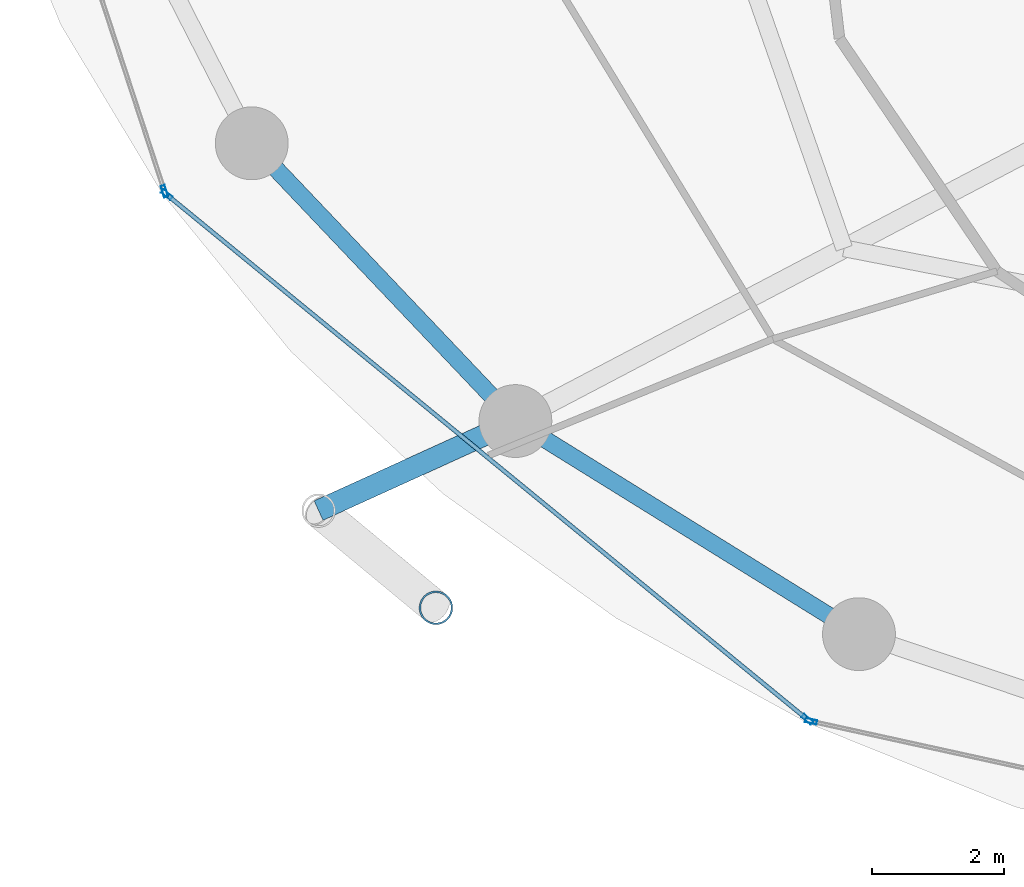
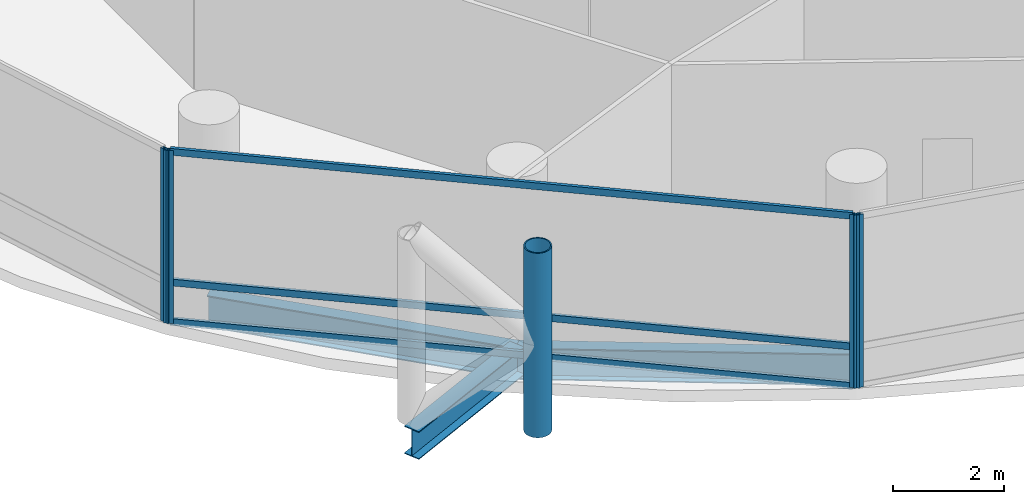
# One storey, part 2 of 25: 8 members, 3 beams, 3 elements without a shape of their own.
"""IFC4 building model written with IfcOpenShell, lengths in metres."""

from ifc_helpers import new_model, si_unit, direction, frame, origin, origin_2d, place, context, subcontext, project, spatial, hollow_rectangle, hollow_circle, i_section, extrude, material, layer, layer_set, material_profile, profile_set, type_object, element, aggregate, save


model = new_model("IFC4")

# Units and contexts
model_context = context("Model", 3, precision=1e-05, world=origin(), true_north=direction((0.0, 1.0)))
body_context = subcontext(model_context, "Body", "Model", "MODEL_VIEW")
ifc_project = project(units=[si_unit("LENGTHUNIT", "METRE"), si_unit("AREAUNIT", "SQUARE_METRE"), si_unit("VOLUMEUNIT", "CUBIC_METRE"), si_unit("PLANEANGLEUNIT", "RADIAN"), si_unit("MASSUNIT", "GRAM", prefix="KILO")], contexts=[model_context])

# Site, building, storey
site_placement = place(None, origin())
site = spatial("IfcSite", under=ifc_project, at=site_placement, CompositionType="ELEMENT")
building_placement = place(site_placement, origin())
building = spatial("IfcBuilding", under=site, at=building_placement, Name="Nuhasar Tower", CompositionType="ELEMENT")
storey_placement = place(building_placement, frame((0.0, 0.0, 57.449951171875)))
storey = spatial("IfcBuildingStorey", under=building, at=storey_placement, Name="L13", CompositionType="ELEMENT", Elevation=57.449951171875)

# Beams
ifc_material_1 = material(Name="Steel S355", Category="steel")
ifc_material_profile_1 = material_profile(ifc_material_1, i_section(OverallWidth=0.256103515625, OverallDepth=0.693115234375, WebThickness=0.014404296875, FlangeThickness=0.023681640625, at=origin_2d()), Name="W27X114")
ifc_profile_set_1 = profile_set([ifc_material_profile_1], Name="Steel S355")
beam_type_1 = type_object("IfcBeamType", Name="BM-RING-W27X114", PredefinedType="SPANDREL", material=ifc_profile_set_1)
beam_1_placement = place(storey_placement, frame((17.305908203125, 16.675048828125, -0.595947265625), z_axis=(0.688459812429, -0.725274490569, 0.0), x_axis=(0.725274490569, 0.688459812429, 0.0)))
element("IfcBeam", 1, at=beam_1_placement, inside=storey, type_object=beam_type_1, Name="L13 Perimeter Ring Spandrel 15", PredefinedType="SPANDREL", context=body_context, shape_type="SweptSolid", body=[
    extrude(i_section(OverallWidth=0.256103515625, OverallDepth=0.693115234375, WebThickness=0.014404296875, FlangeThickness=0.023681640625, at=origin_2d()), origin(), (0.0, 0.0, 1.0), 5.78271484375),
])
beam_2_placement = place(storey_placement, frame((21.287109375, 12.48095703125, -0.595947265625), z_axis=(0.849795216549, -0.527112976439, 0.0), x_axis=(0.527112976439, 0.849795216549, 0.0)))
element("IfcBeam", 2, at=beam_2_placement, inside=storey, type_object=beam_type_1, Name="L13 Perimeter Ring Spandrel 16", PredefinedType="SPANDREL", context=body_context, shape_type="SweptSolid", body=[
    extrude(i_section(OverallWidth=0.256103515625, OverallDepth=0.693115234375, WebThickness=0.014404296875, FlangeThickness=0.023681640625, at=origin_2d()), origin(), (0.0, 0.0, 1.0), 6.10498046875),
])
ifc_material_profile_2 = material_profile(ifc_material_1, i_section(OverallWidth=0.323974609375, OverallDepth=0.611083984375, WebThickness=0.0126953125, FlangeThickness=0.01904296875, at=origin_2d()), Name="W24X104")
ifc_profile_set_2 = profile_set([ifc_material_profile_2], Name="Steel S355")
beam_type_2 = type_object("IfcBeamType", Name="BM-TIE-W24X104", PredefinedType="BEAM", material=ifc_profile_set_2)
beam_3_placement = place(storey_placement, frame((21.287109375, 12.48095703125, -0.554931640625), z_axis=(-0.910243528587, -0.414073325227, 0.0), x_axis=(0.414073325227, -0.910243528587, 0.0)))
element("IfcBeam", 3, at=beam_3_placement, inside=storey, type_object=beam_type_2, Name="L13 Exoskeleton Node Tie Beam 08", PredefinedType="BEAM", context=body_context, shape_type="SweptSolid", body=[
    extrude(i_section(OverallWidth=0.323974609375, OverallDepth=0.611083984375, WebThickness=0.0126953125, FlangeThickness=0.01904296875, at=origin_2d()), origin(), (0.0, 0.0, 1.0), 3.26513671875),
])

# Curtain wall, member
ifc_material_2 = material(Name="Aluminium 6063-T6", Category="aluminium")
ifc_layer = layer(ifc_material_2, 0.199951171875)
ifc_layer_set = layer_set([ifc_layer], Name="Aluminium 6063-T6")
curtain_wall_type = type_object("IfcCurtainWallType", Name="CW-Z1-OFF", PredefinedType="NOTDEFINED", material=ifc_layer_set)
curtain_wall_1_placement = place(storey_placement, origin())
curtain_wall_1 = element("IfcCurtainWall", 4, at=curtain_wall_1_placement, inside=storey, type_object=curtain_wall_type, Name="L13 Unitised Curtain Wall 07", PredefinedType="NOTDEFINED")
ifc_material_profile_3 = material_profile(ifc_material_2, hollow_rectangle(XDim=0.06494140625, YDim=0.179931640625, WallThickness=0.0048828125, at=origin_2d()), Name="CWM-2")
ifc_profile_set_3 = profile_set([ifc_material_profile_3], Name="Aluminium 6063-T6")
member_type_1 = type_object("IfcMemberType", Name="CW-MUL-S2", PredefinedType="MULLION", material=ifc_profile_set_3)
member_1_placement = place(storey_placement, frame((15.98779296875, 15.950927734375, 0.0), z_axis=(0.0, 0.0, 1.0), x_axis=(0.950467534571, 0.310823849997, 0.0)))
member_1 = element("IfcMember", 5, at=member_1_placement, type_object=member_type_1, Name="CW-Z1 mullion 2", PredefinedType="MULLION", context=body_context, shape_type="SweptSolid", body=[
    extrude(hollow_rectangle(XDim=0.06494140625, YDim=0.179931640625, WallThickness=0.0048828125, at=origin_2d()), origin(), (0.0, 0.0, 1.0), 3.800048828125),
])
aggregate(curtain_wall_1, [member_1])

# Curtain wall, members
curtain_wall_2_placement = place(storey_placement, origin())
curtain_wall_2 = element("IfcCurtainWall", 6, at=curtain_wall_2_placement, inside=storey, type_object=curtain_wall_type, Name="L13 Unitised Curtain Wall 08", PredefinedType="NOTDEFINED")
member_2_placement = place(storey_placement, frame((16.023193359375, 15.8994140625, 0.0), z_axis=(0.0, 0.0, 1.0), x_axis=(0.633744593376, 0.773542364946, 0.0)))
member_2 = element("IfcMember", 7, at=member_2_placement, type_object=member_type_1, Name="CW-Z1 mullion 1", PredefinedType="MULLION", context=body_context, shape_type="SweptSolid", body=[
    extrude(hollow_rectangle(XDim=0.06494140625, YDim=0.179931640625, WallThickness=0.0048828125, at=origin_2d()), origin(), (0.0, 0.0, 1.0), 3.800048828125),
])
member_3_placement = place(storey_placement, frame((25.69482421875, 7.9755859375, 0.0), z_axis=(0.0, 0.0, 1.0), x_axis=(0.633744593376, 0.773542364946, 0.0)))
member_3 = element("IfcMember", 8, at=member_3_placement, type_object=member_type_1, Name="CW-Z1 mullion 2", PredefinedType="MULLION", context=body_context, shape_type="SweptSolid", body=[
    extrude(hollow_rectangle(XDim=0.06494140625, YDim=0.179931640625, WallThickness=0.0048828125, at=origin_2d()), origin(), (0.0, 0.0, 1.0), 3.800048828125),
])

# Curtain wall, member
curtain_wall_3_placement = place(storey_placement, origin())
curtain_wall_3 = element("IfcCurtainWall", 9, at=curtain_wall_3_placement, inside=storey, type_object=curtain_wall_type, Name="L13 Unitised Curtain Wall 09", PredefinedType="NOTDEFINED")
member_4_placement = place(storey_placement, frame((25.751708984375, 7.947998046875, 0.0), z_axis=(0.0, 0.0, 1.0), x_axis=(0.214398737637, 0.976746221544, 0.0)))
member_4 = element("IfcMember", 10, at=member_4_placement, type_object=member_type_1, Name="CW-Z1 mullion 1", PredefinedType="MULLION", context=body_context, shape_type="SweptSolid", body=[
    extrude(hollow_rectangle(XDim=0.06494140625, YDim=0.179931640625, WallThickness=0.0048828125, at=origin_2d()), origin(), (0.0, 0.0, 1.0), 3.800048828125),
])
aggregate(curtain_wall_3, [member_4])

# Member
ifc_material_profile_4 = material_profile(ifc_material_2, hollow_rectangle(XDim=0.06494140625, YDim=0.14990234375, WallThickness=0.00439453125, at=origin_2d()), Name="CWT-2")
ifc_profile_set_4 = profile_set([ifc_material_profile_4], Name="Aluminium 6063-T6")
member_type_2 = type_object("IfcMemberType", Name="CW-TRN-S2", PredefinedType="USERDEFINED", material=ifc_profile_set_4)
member_5_placement = place(storey_placement, frame((16.04833984375, 15.87890625, 0.032470703125), z_axis=(0.773531229158, -0.633758185365, 0.0), x_axis=(0.633758185365, 0.773531229158, 0.0)))
member_5 = element("IfcMember", 11, at=member_5_placement, type_object=member_type_2, Name="CW-Z1 transom 1.1", ObjectType="TRANSOM", PredefinedType="USERDEFINED", context=body_context, shape_type="SweptSolid", body=[
    extrude(hollow_rectangle(XDim=0.06494140625, YDim=0.14990234375, WallThickness=0.00439453125, at=origin_2d()), origin(), (0.0, 0.0, 1.0), 12.438232421875),
])

member_6_placement = place(storey_placement, frame((16.04833984375, 15.87890625, 0.900146484375), z_axis=(0.773531229158, -0.633758185365, 0.0), x_axis=(0.633758185365, 0.773531229158, 0.0)))
member_6 = element("IfcMember", 12, at=member_6_placement, type_object=member_type_2, Name="CW-Z1 transom 1.2", ObjectType="TRANSOM", PredefinedType="USERDEFINED", context=body_context, shape_type="SweptSolid", body=[
    extrude(hollow_rectangle(XDim=0.06494140625, YDim=0.14990234375, WallThickness=0.00439453125, at=origin_2d()), origin(), (0.0, 0.0, 1.0), 12.438232421875),
])

member_7_placement = place(storey_placement, frame((16.04833984375, 15.87890625, 3.767578125), z_axis=(0.773531229158, -0.633758185365, 0.0), x_axis=(0.633758185365, 0.773531229158, 0.0)))
member_7 = element("IfcMember", 13, at=member_7_placement, type_object=member_type_2, Name="CW-Z1 transom 1.3", ObjectType="TRANSOM", PredefinedType="USERDEFINED", context=body_context, shape_type="SweptSolid", body=[
    extrude(hollow_rectangle(XDim=0.06494140625, YDim=0.14990234375, WallThickness=0.00439453125, at=origin_2d()), origin(), (0.0, 0.0, 1.0), 12.438232421875),
])

aggregate(curtain_wall_2, [member_2, member_3, member_5, member_6, member_7])

ifc_material_3 = material(Name="Steel S460", Category="steel")
ifc_material_profile_5 = material_profile(ifc_material_3, hollow_circle(Radius=0.25390625, WallThickness=0.025390625, at=origin_2d()), Name="HSS508X25.4")
ifc_profile_set_5 = profile_set([ifc_material_profile_5], Name="Steel S460")
member_type_3 = type_object("IfcMemberType", Name="EXO-BRONZE-508", PredefinedType="BRACE", material=ifc_profile_set_5)
member_8_placement = place(storey_placement, frame((20.0869140625, 9.660888671875, 0.0), z_axis=(0.0, 0.0, 1.0), x_axis=(1.0, 0.0, 0.0)))
element("IfcMember", 14, at=member_8_placement, inside=storey, type_object=member_type_3, Name="L13 Exoskeleton Chord Column EC-08B", PredefinedType="BRACE", context=body_context, shape_type="SweptSolid", body=[
    extrude(hollow_circle(Radius=0.25390625, WallThickness=0.025390625, at=origin_2d()), origin(), (0.0, 0.0, 1.0), 4.050048828125),
])

save(model, "model.ifc")
